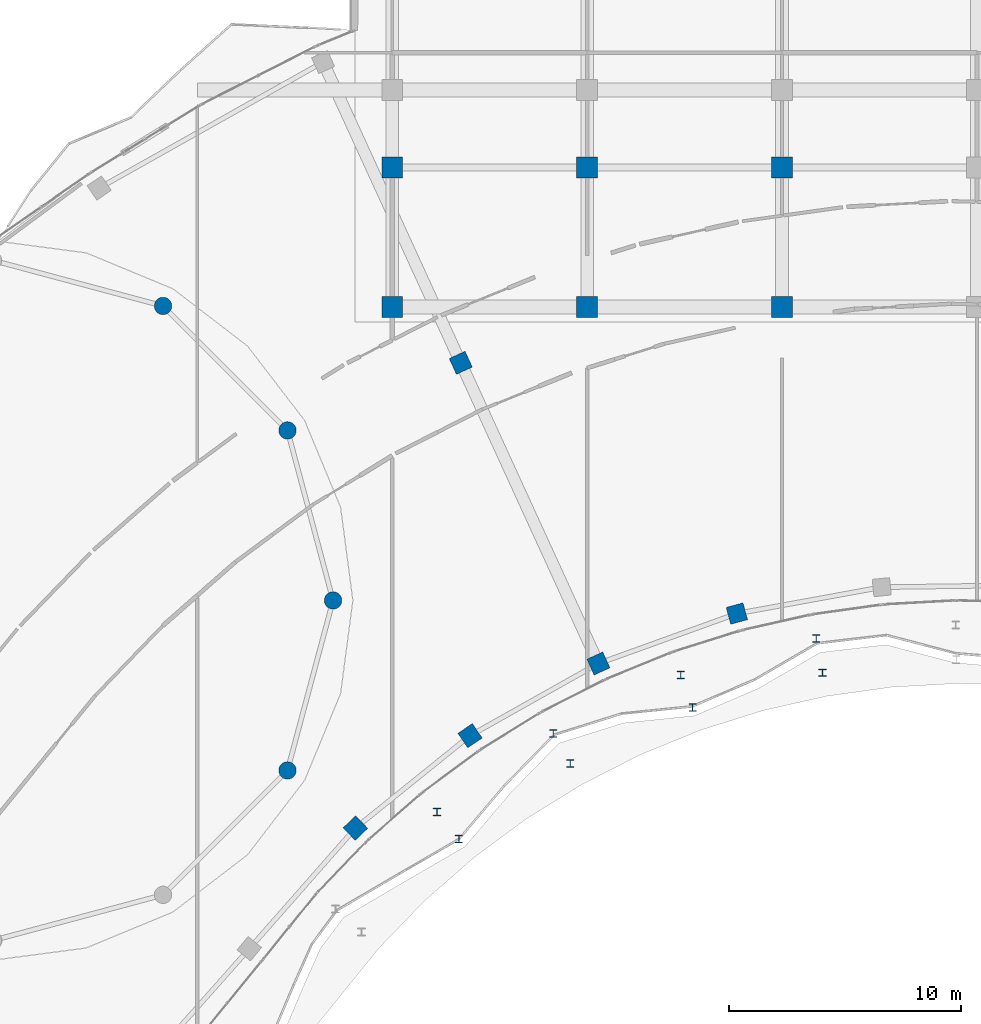
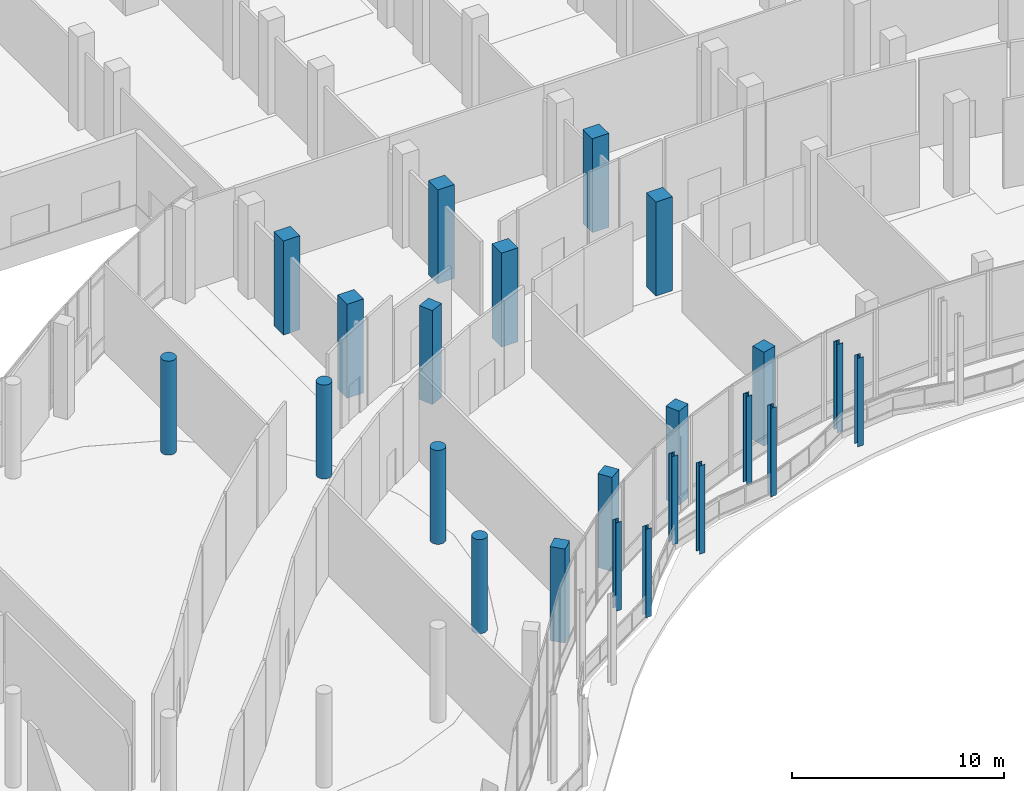
# One storey, part 7 of 158: 23 columns.
"""IFC4 building model written with IfcOpenShell, lengths in metres."""

import ifcopenshell
import ifcopenshell.guid

model = None  # the IFC model being written
_history = None  # IfcOwnerHistory: only IFC2X3 demands one
_inside = {}  # id of a spatial element -> (the spatial element, [elements in it])
_under = {}  # id of a project, library or spatial element -> (it, [spatial elements below it])
_declared = {}  # id of a project -> (the project, [libraries it declares])
_typed = {}  # id of a type object -> (the type object, [elements of that type])
_made_of = {}  # id of a material, layer set ... -> (it, [elements and type objects made of it])


def new_model(schema):
    """Start an empty IFC model of exactly this schema.

    Asked for "IFC4X3", IfcOpenShell would pick the latest addendum, in which some entities
    have other attributes; the version numbers below select the first issue.
    IFC2X3 requires an IfcOwnerHistory on every rooted entity: one is made here for all.
    """
    global model, _history
    if schema == "IFC4X3":
        model = ifcopenshell.file(schema_version=(4, 3, 0, 0))
    else:
        model = ifcopenshell.file(schema=schema)
    _inside.clear()
    _under.clear()
    _declared.clear()
    _typed.clear()
    _made_of.clear()
    _history = None
    if model.schema == "IFC2X3":
        org = make("IfcOrganization", Name="unknown")
        user = make(
            "IfcPersonAndOrganization",
            ThePerson=make("IfcPerson", FamilyName="unknown"),
            TheOrganization=org,
        )
        app = make(
            "IfcApplication",
            ApplicationDeveloper=org,
            Version="unknown",
            ApplicationFullName="unknown",
            ApplicationIdentifier="unknown",
        )
        _history = make(
            "IfcOwnerHistory",
            OwningUser=user,
            OwningApplication=app,
            ChangeAction="ADDED",
            CreationDate=0,
        )
    return model


def make(cls, **values):
    """One entity of the class cls with the attributes given. An attribute that is None is left unset."""
    return model.create_entity(
        cls, **{name: value for name, value in values.items() if value is not None}
    )


def rooted(cls, **values):
    """An entity with a GlobalId (a new one), such as an element, a storey or a relation."""
    return make(cls, GlobalId=ifcopenshell.guid.new(), OwnerHistory=_history, **values)


def si_unit(unit_type, name, prefix=None):
    """IfcSIUnit, for example si_unit("LENGTHUNIT", "METRE", prefix="MILLI")."""
    return make("IfcSIUnit", UnitType=unit_type, Prefix=prefix, Name=name)


def assignment(units):
    """IfcUnitAssignment: the units of a project."""
    return None if units is None else make("IfcUnitAssignment", Units=units)


def point(xyz):
    """IfcCartesianPoint."""
    return None if xyz is None else make("IfcCartesianPoint", Coordinates=xyz)


def direction(xyz):
    """IfcDirection."""
    return None if xyz is None else make("IfcDirection", DirectionRatios=xyz)


def frame(location, z_axis=None, x_axis=None):
    """IfcAxis2Placement3D, a coordinate frame: its origin and axes. An axis left out is left unset."""
    return make(
        "IfcAxis2Placement3D",
        Location=point(location),
        Axis=direction(z_axis),
        RefDirection=direction(x_axis),
    )


def frame_2d(location, x_axis=None):
    """IfcAxis2Placement2D, a coordinate frame in the plane: its origin and x axis."""
    return make(
        "IfcAxis2Placement2D", Location=point(location), RefDirection=direction(x_axis)
    )


def origin():
    """The frame at (0, 0, 0) with its axes left unset."""
    return frame((0.0, 0.0, 0.0))


def origin_2d():
    """The frame at (0, 0) in the plane with its x axis left unset."""
    return frame_2d((0.0, 0.0))


def place(relative_to, where):
    """IfcLocalPlacement: puts the frame where relative to a parent placement (None: the world)."""
    return make(
        "IfcLocalPlacement", PlacementRelTo=relative_to, RelativePlacement=where
    )


def context(
    kind, dimensions, precision=None, world=None, true_north=None, identifier=None
):
    """IfcGeometricRepresentationContext, for example the 3D "Model" context."""
    return make(
        "IfcGeometricRepresentationContext",
        ContextIdentifier=identifier,
        ContextType=kind,
        CoordinateSpaceDimension=dimensions,
        Precision=precision,
        WorldCoordinateSystem=world,
        TrueNorth=true_north,
    )


def subcontext(parent, identifier, kind, view, scale=None):
    """IfcGeometricRepresentationSubContext, for example "Body" below "Model"."""
    return make(
        "IfcGeometricRepresentationSubContext",
        ContextIdentifier=identifier,
        ContextType=kind,
        ParentContext=parent,
        TargetScale=scale,
        TargetView=view,
    )


def project(units=None, contexts=None):
    """IfcProject with its units and contexts."""
    return rooted(
        "IfcProject",
        Name="project",
        RepresentationContexts=contexts,
        UnitsInContext=assignment(units),
    )


def spatial(cls, under=None, at=None, **own):
    """A site, building, storey or space (cls), placed at a placement, below another one or the project."""
    s = rooted(cls, ObjectPlacement=at, **own)
    if under is not None:
        _under.setdefault(under.id(), (under, []))[1].append(s)
    return s


def profile(cls, at=None, kind="AREA", **sizes):
    """A parametric profile (cls). Its sizes go by their IFC names, for example OverallWidth=200.0."""
    return make(cls, ProfileType=kind, Position=at, **sizes)


def rectangle(**sizes):
    """IfcRectangleProfileDef."""
    return profile("IfcRectangleProfileDef", **sizes)


def circle(**sizes):
    """IfcCircleProfileDef."""
    return profile("IfcCircleProfileDef", **sizes)


def i_section(**sizes):
    """IfcIShapeProfileDef."""
    return profile("IfcIShapeProfileDef", **sizes)


def extrude(swept, where, along, depth):
    """IfcExtrudedAreaSolid: the profile swept, set in the frame where, extruded along a direction by depth."""
    return make(
        "IfcExtrudedAreaSolid",
        SweptArea=swept,
        Position=where,
        ExtrudedDirection=direction(along),
        Depth=depth,
    )


def shape(context_of_items, identifier, shape_type, items):
    """IfcShapeRepresentation: the items that make up one representation, for example the "Body"."""
    return make(
        "IfcShapeRepresentation",
        ContextOfItems=context_of_items,
        RepresentationIdentifier=identifier,
        RepresentationType=shape_type,
        Items=items,
    )


def material(Name=None, Category=None):
    """IfcMaterial."""
    return make("IfcMaterial", Name=Name, Category=Category)


def material_profile(
    of_material, cross_section, Name=None, Category=None, Priority=None
):
    """IfcMaterialProfile: a cross section and its material."""
    return make(
        "IfcMaterialProfile",
        Name=Name,
        Material=of_material,
        Profile=cross_section,
        Priority=Priority,
        Category=Category,
    )


def profile_set(profiles, Name=None, composite=None):
    """IfcMaterialProfileSet."""
    return make(
        "IfcMaterialProfileSet",
        Name=Name,
        MaterialProfiles=profiles,
        CompositeProfile=composite,
    )


def made_of(thing, what):
    """Note that an element or type object is made of a material, layer set ...; save() writes the relation."""
    if what is not None:
        _made_of.setdefault(what.id(), (what, []))[1].append(thing)
    return thing


def type_object(cls, material=None, **own):
    """A type object (cls), such as IfcWallType, which elements share."""
    return made_of(rooted(cls, **own), material)


def element(
    cls,
    number,
    at=None,
    inside=None,
    cuts=None,
    type_object=None,
    material=None,
    context=None,
    identifier="Body",
    shape_type=None,
    held_by="IfcProductDefinitionShape",
    body=None,
    shapes=None,
    **own,
):
    """One element of the class cls, such as IfcWall. Its Tag is "e" and its number.

    at: its placement. inside: the storey or other place that contains it. cuts: it is an
    opening in that element (IfcRelVoidsElement). A single representation is given by context,
    identifier, shape_type and body (its items); several are given by shapes. held_by: the class
    of the entity that holds the representations. save() writes the other relations.
    """
    e = rooted(cls, Tag="e%d" % number, ObjectPlacement=at, **own)
    if body is not None:
        shapes = [shape(context, identifier, shape_type, body)]
    if shapes is not None:
        e.Representation = make(held_by, Representations=shapes)
    if inside is not None:
        _inside.setdefault(inside.id(), (inside, []))[1].append(e)
    if cuts is not None:
        rooted(
            "IfcRelVoidsElement", RelatingBuildingElement=cuts, RelatedOpeningElement=e
        )
    if type_object is not None:
        _typed.setdefault(type_object.id(), (type_object, []))[1].append(e)
    return made_of(e, material)


def aggregate(whole, parts):
    """IfcRelAggregates: a whole, such as a stair, and the parts it consists of."""
    return rooted("IfcRelAggregates", RelatingObject=whole, RelatedObjects=parts)


def save(model, path):
    """Write the relations noted so far, then the file.

    IfcRelAggregates (storeys below a building ...), IfcRelContainedInSpatialStructure (elements
    in a storey), IfcRelDefinesByType, IfcRelAssociatesMaterial and IfcRelDeclares: one each for
    every whole, place, type object, material and project.
    """
    for whole, parts in _under.values():
        aggregate(whole, parts)
    for where, things in _inside.values():
        rooted(
            "IfcRelContainedInSpatialStructure",
            RelatedElements=things,
            RelatingStructure=where,
        )
    for kind, things in _typed.values():
        rooted("IfcRelDefinesByType", RelatedObjects=things, RelatingType=kind)
    for what, things in _made_of.values():
        rooted("IfcRelAssociatesMaterial", RelatedObjects=things, RelatingMaterial=what)
    for by, libraries in _declared.values():
        rooted("IfcRelDeclares", RelatingContext=by, RelatedDefinitions=libraries)
    model.write(path)


model = new_model("IFC4")

# Units and contexts
model_context = context("Model", 3, precision=1e-05, world=origin(), true_north=direction((0.0, 1.0)))
body_context = subcontext(model_context, "Body", "Model", "MODEL_VIEW")
ifc_project = project(units=[si_unit("LENGTHUNIT", "METRE"), si_unit("AREAUNIT", "SQUARE_METRE"), si_unit("VOLUMEUNIT", "CUBIC_METRE"), si_unit("PLANEANGLEUNIT", "RADIAN"), si_unit("MASSUNIT", "GRAM", prefix="KILO")], contexts=[model_context])

# Site, building, storey
site_placement = place(None, origin())
site = spatial("IfcSite", under=ifc_project, at=site_placement, CompositionType="ELEMENT")
building_placement = place(site_placement, origin())
building = spatial("IfcBuilding", under=site, at=building_placement, Name="Selatvlak General Hospital", CompositionType="ELEMENT")
storey_placement = place(building_placement, origin())
storey = spatial("IfcBuildingStorey", under=building, at=storey_placement, Name="L00", CompositionType="ELEMENT", Elevation=0.0)

# Columns
ifc_material_1 = material(Name="Concrete C50/60", Category="concrete")
ifc_material_profile_1 = material_profile(ifc_material_1, rectangle(XDim=0.75, YDim=0.75, at=origin_2d()), Name="RC-COL 750x750")
ifc_profile_set_1 = profile_set([ifc_material_profile_1], Name="Concrete C50/60")
column_type_1 = type_object("IfcColumnType", Name="COL-RC75", PredefinedType="COLUMN", material=ifc_profile_set_1)
for number, where, z_axis, x_axis, name in (
    (1, (113.614990234375, 44.19189453125, 0.0), (0.0, 0.0, 1.0), (-0.689872285383, 0.723931094691, 0.0), "Column 339 on L00"),
    (2, (118.552978515625, 48.172119140625, 0.0), (0.0, 0.0, 1.0), (-0.560725705765, 0.828001620104, 0.0), "Column 341 on L00"),
    (3, (118.153076171875, 64.238037109375, 0.0), (0.0, 0.0, 1.0), (-0.416201444857, 0.909272432937, 0.0), "Column 343 on L00"),
    (4, (124.083984375, 51.281005859375, 0.0), (0.0, 0.0, 1.0), (-0.416201444857, 0.909272432937, 0.0), "Column 344 on L00"),
    (5, (130.049072265625, 53.43310546875, 0.0), (0.0, 0.0, 1.0), (-0.260066364254, 0.965590744666, 0.0), "Column 345 on L00"),
):
    element("IfcColumn", number, at=place(storey_placement, frame(where, z_axis=z_axis, x_axis=x_axis)), inside=storey, type_object=column_type_1, Name=name, PredefinedType="COLUMN", context=body_context, shape_type="SweptSolid", body=[
        extrude(rectangle(XDim=0.75, YDim=0.75, at=origin_2d()), origin(), (0.0, 0.0, 1.0), 5.39990234375),
    ])
ifc_material_profile_2 = material_profile(ifc_material_1, rectangle(XDim=0.89990234375, YDim=0.89990234375, at=origin_2d()), Name="RC-COL 900x900")
ifc_profile_set_2 = profile_set([ifc_material_profile_2], Name="Concrete C50/60")
column_type_2 = type_object("IfcColumnType", Name="COL-RC90", PredefinedType="COLUMN", material=ifc_profile_set_2)
for number, where, z_axis, x_axis, name in (
    (6, (115.199951171875, 66.64990234375, 0.0), (0.0, 0.0, 1.0), (1.0, 0.0, 0.0), "Column 229 on L00"),
    (7, (115.199951171875, 72.64990234375, 0.0), (0.0, 0.0, 1.0), (1.0, 0.0, 0.0), "Column 230 on L00"),
    (8, (123.60009765625, 66.64990234375, 0.0), (0.0, 0.0, 1.0), (1.0, 0.0, 0.0), "Column 236 on L00"),
    (9, (123.60009765625, 72.64990234375, 0.0), (0.0, 0.0, 1.0), (1.0, 0.0, 0.0), "Column 237 on L00"),
    (10, (132.0, 66.64990234375, 0.0), (0.0, 0.0, 1.0), (1.0, 0.0, 0.0), "Column 246 on L00"),
    (11, (132.0, 72.64990234375, 0.0), (0.0, 0.0, 1.0), (1.0, 0.0, 0.0), "Column 247 on L00"),
):
    element("IfcColumn", number, at=place(storey_placement, frame(where, z_axis=z_axis, x_axis=x_axis)), inside=storey, type_object=column_type_2, Name=name, PredefinedType="COLUMN", context=body_context, shape_type="SweptSolid", body=[
        extrude(rectangle(XDim=0.89990234375, YDim=0.89990234375, at=origin_2d()), origin(), (0.0, 0.0, 1.0), 5.39990234375),
    ])
ifc_material_profile_3 = material_profile(ifc_material_1, circle(Radius=0.375, at=origin_2d()), Name="RC-COL D750")
ifc_profile_set_3 = profile_set([ifc_material_profile_3], Name="Concrete C50/60")
column_type_3 = type_object("IfcColumnType", Name="COL-RCD75", PredefinedType="COLUMN", material=ifc_profile_set_3)
for number, where, z_axis, x_axis, name in (
    (12, (112.64990234375, 54.0, 0.0), (0.0, 0.0, 1.0), (1.0, 0.0, 0.0), "Column 025 on L00"),
    (13, (110.68701171875, 61.324951171875, 0.0), (0.0, 0.0, 1.0), (0.866025403784, 0.5, 0.0), "Column 026 on L00"),
    (14, (105.324951171875, 66.68701171875, 0.0), (0.0, 0.0, 1.0), (0.5, 0.866025403784, 0.0), "Column 027 on L00"),
    (15, (110.68701171875, 46.675048828125, 0.0), (0.0, 0.0, 1.0), (0.866025403784, -0.5, 0.0), "Column 036 on L00"),
):
    element("IfcColumn", number, at=place(storey_placement, frame(where, z_axis=z_axis, x_axis=x_axis)), inside=storey, type_object=column_type_3, Name=name, PredefinedType="COLUMN", context=body_context, shape_type="SweptSolid", body=[
        extrude(circle(Radius=0.375, at=origin_2d()), origin(), (0.0, 0.0, 1.0), 5.39990234375),
    ])
ifc_material_2 = material(Name="Steel S355", Category="steel")
ifc_material_profile_4 = material_profile(ifc_material_2, i_section(OverallWidth=0.30908203125, OverallDepth=0.320556640625, WebThickness=0.013916015625, FlangeThickness=0.021728515625, at=origin_2d()), Name="UC 305x305x137")
ifc_profile_set_4 = profile_set([ifc_material_profile_4], Name="Steel S355")
column_type_4 = type_object("IfcColumnType", Name="COL-UC305", PredefinedType="COLUMN", material=ifc_profile_set_4)
for number, where, z_axis, x_axis, name in (
    (16, (117.131103515625, 44.882080078125, 0.0), (0.0, 0.0, 1.0), (1.0, 0.0, 0.0), "Column 131 on L00"),
    (17, (118.072021484375, 43.714111328125, 0.0), (0.0, 0.0, 1.0), (1.0, 0.0, 0.0), "Column 132 on L00"),
    (18, (122.135009765625, 48.27197265625, 0.0), (0.0, 0.0, 1.0), (1.0, 0.0, 0.0), "Column 133 on L00"),
    (19, (122.8701171875, 46.964111328125, 0.0), (0.0, 0.0, 1.0), (1.0, 0.0, 0.0), "Column 134 on L00"),
    (20, (127.633056640625, 50.7880859375, 0.0), (0.0, 0.0, 1.0), (1.0, 0.0, 0.0), "Column 135 on L00"),
    (21, (128.14208984375, 49.376953125, 0.0), (0.0, 0.0, 1.0), (1.0, 0.0, 0.0), "Column 136 on L00"),
    (22, (133.468994140625, 52.360107421875, 0.0), (0.0, 0.0, 1.0), (1.0, 0.0, 0.0), "Column 137 on L00"),
    (23, (133.738037109375, 50.884033203125, 0.0), (0.0, 0.0, 1.0), (1.0, 0.0, 0.0), "Column 138 on L00"),
):
    element("IfcColumn", number, at=place(storey_placement, frame(where, z_axis=z_axis, x_axis=x_axis)), inside=storey, type_object=column_type_4, Name=name, PredefinedType="COLUMN", context=body_context, shape_type="SweptSolid", body=[
        extrude(i_section(OverallWidth=0.30908203125, OverallDepth=0.320556640625, WebThickness=0.013916015625, FlangeThickness=0.021728515625, at=origin_2d()), origin(), (0.0, 0.0, 1.0), 5.080078125),
    ])

save(model, "model.ifc")
